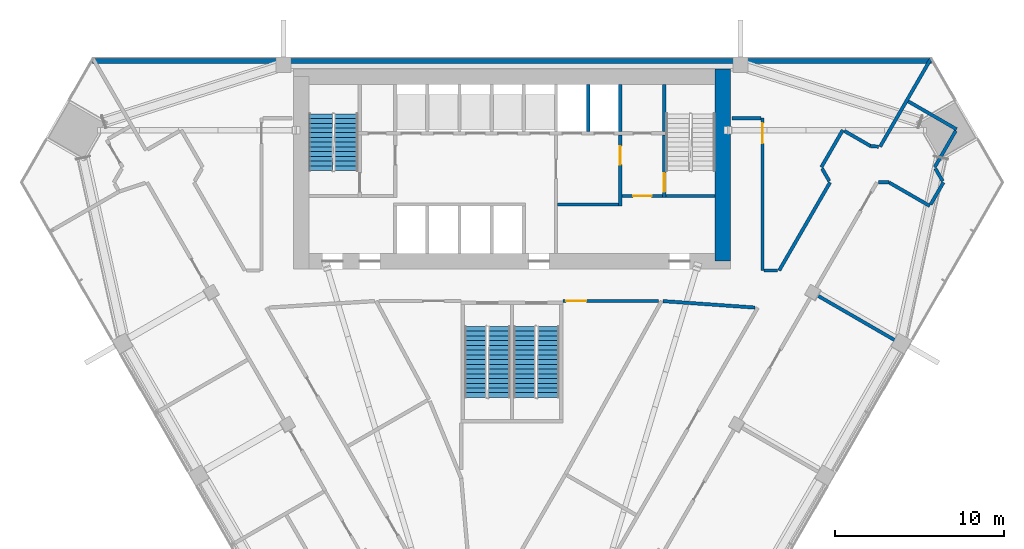
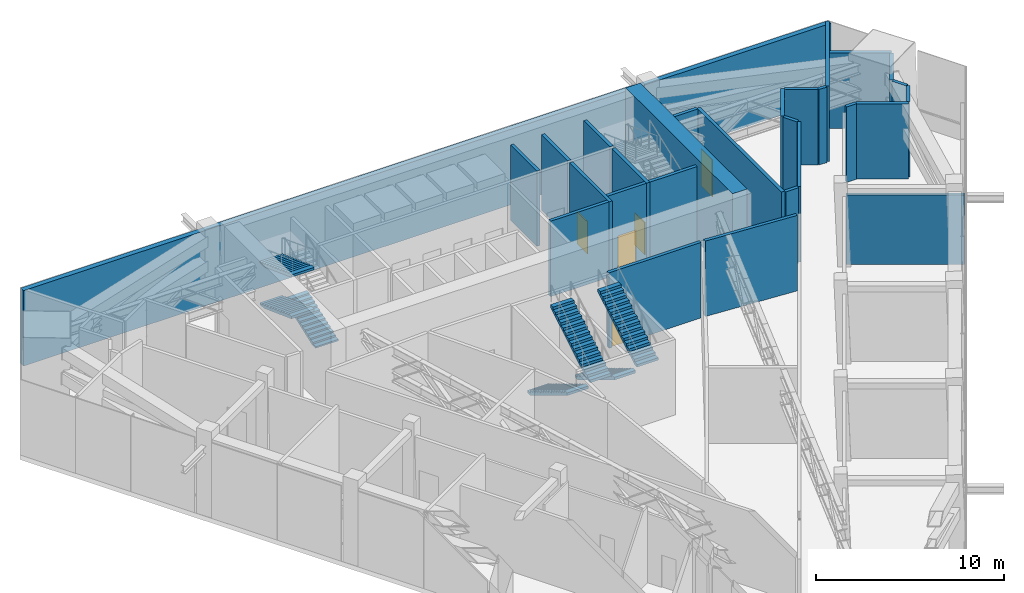
# One storey, part 11 of 15: 28 walls, 7 stair flights, 5 doors, 5 openings, 3 elements without a shape of their own.
"""IFC4 building model written with IfcOpenShell, lengths in metres."""

from ifc_helpers import new_model, si_unit, direction, frame, frame_2d, origin, place, context, subcontext, project, spatial, polyline, rectangle, outline, extrude, material, layer, layer_set, type_object, element, fill, aggregate, save


model = new_model("IFC4")

# Units and contexts
model_context = context("Model", 3, precision=1e-05, world=origin(), true_north=direction((0.0, 1.0)))
body_context = subcontext(model_context, "Body", "Model", "MODEL_VIEW")
ifc_project = project(units=[si_unit("LENGTHUNIT", "METRE"), si_unit("AREAUNIT", "SQUARE_METRE"), si_unit("VOLUMEUNIT", "CUBIC_METRE"), si_unit("PLANEANGLEUNIT", "RADIAN"), si_unit("MASSUNIT", "GRAM", prefix="KILO")], contexts=[model_context])

# Site, building, storey
site_placement = place(None, origin())
site = spatial("IfcSite", under=ifc_project, at=site_placement, CompositionType="ELEMENT")
building_placement = place(site_placement, origin())
building = spatial("IfcBuilding", under=site, at=building_placement, Name="Altiplano Prism Tower", CompositionType="ELEMENT")
storey_placement = place(building_placement, frame((0.0, 0.0, 95.39990234375)))
storey = spatial("IfcBuildingStorey", under=building, at=storey_placement, Name="L24", CompositionType="ELEMENT", Elevation=95.39990234375)

# Walls
ifc_material_1 = material(Name="Concrete C70/85", Category="concrete")
ifc_layer_1 = layer(ifc_material_1, 0.89990234375)
ifc_layer_set_1 = layer_set([ifc_layer_1], Name="Concrete C70/85")
wall_type_1 = type_object("IfcWallType", Name="Core wall 900", PredefinedType="SHEAR", material=ifc_layer_set_1)
wall_1_placement = place(storey_placement, frame((97.449951171875, 92.949951171875, 0.0), z_axis=(0.0, 0.0, 1.0), x_axis=(0.0, 1.0, 0.0)))
element("IfcWall", 1, at=wall_1_placement, inside=storey, type_object=wall_type_1, Name="Core wall E L24", PredefinedType="SHEAR", context=body_context, shape_type="SweptSolid", body=[
    extrude(rectangle(XDim=11.35009765625, YDim=0.89990234375, at=frame_2d((5.675048828125, 0.0))), origin(), (0.0, 0.0, 1.0), 5.400146484375),
])
ifc_material_2 = material(Name="Plasterboard on steel stud", Category="steel")
ifc_layer_2 = layer(ifc_material_2, 0.199951171875)
ifc_layer_set_2 = layer_set([ifc_layer_2], Name="Plasterboard on steel stud")
wall_type_2 = type_object("IfcWallType", Name="Partition 200 plant", PredefinedType="PARTITIONING", material=ifc_layer_set_2)
wall_2_placement = place(storey_placement, frame((106.645751953125, 97.606201171875, 0.0), z_axis=(0.0, 0.0, 1.0), x_axis=(1.0, 0.0, 0.0)))
element("IfcWall", 2, at=wall_2_placement, inside=storey, type_object=wall_type_2, Name="Partition P04 L24 010", PredefinedType="PARTITIONING", context=body_context, shape_type="SweptSolid", body=[
    extrude(rectangle(XDim=0.623046875, YDim=0.199951171875, at=frame_2d((0.3115234375, 0.0))), origin(), (0.0, 0.0, 1.0), 4.900146484375),
])
wall_3_placement = place(storey_placement, frame((107.268798828125, 97.606201171875, 0.0), z_axis=(0.0, 0.0, 1.0), x_axis=(0.866055689025, -0.499947540755, 0.0)))
element("IfcWall", 3, at=wall_3_placement, inside=storey, type_object=wall_type_2, Name="Partition P04 L24 011", PredefinedType="PARTITIONING", context=body_context, shape_type="SweptSolid", body=[
    extrude(rectangle(XDim=2.785400390625, YDim=0.199951171875, at=frame_2d((1.392578125, 0.0))), origin(), (0.0, 0.0, 1.0), 4.900146484375),
])
wall_4_placement = place(storey_placement, frame((109.73095703125, 96.300048828125, 0.0), z_axis=(0.0, 0.0, 1.0), x_axis=(0.500021374163, 0.866013063054, 0.0)))
element("IfcWall", 4, at=wall_4_placement, inside=storey, type_object=wall_type_2, Name="Partition P04 L24 012", PredefinedType="PARTITIONING", context=body_context, shape_type="SweptSolid", body=[
    extrude(rectangle(XDim=1.50830078125, YDim=0.199951171875, at=frame_2d((0.754150390625, 0.0))), origin(), (0.0, 0.0, 1.0), 4.900146484375),
])
wall_5_placement = place(storey_placement, frame((110.44189453125, 97.68115234375, 0.0), z_axis=(0.0, 0.0, 1.0), x_axis=(-0.499960291808, 0.866048328106, 0.0)))
element("IfcWall", 5, at=wall_5_placement, inside=storey, type_object=wall_type_2, Name="Partition P04 L24 013", PredefinedType="PARTITIONING", context=body_context, shape_type="SweptSolid", body=[
    extrude(rectangle(XDim=0.85888671875, YDim=0.199951171875, at=frame_2d((0.429443359375, 0.0))), origin(), (0.0, 0.0, 1.0), 4.900146484375),
])
wall_6_placement = place(storey_placement, frame((109.968994140625, 98.5, 0.0), z_axis=(0.0, 0.0, 1.0), x_axis=(0.499985374448, 0.866033847686, 0.0)))
element("IfcWall", 6, at=wall_6_placement, inside=storey, type_object=wall_type_2, Name="Partition P04 L24 014", PredefinedType="PARTITIONING", context=body_context, shape_type="SweptSolid", body=[
    extrude(rectangle(XDim=2.49169921875, YDim=0.199951171875, at=frame_2d((1.245849609375, 0.0))), origin(), (0.0, 0.0, 1.0), 4.900146484375),
])
wall_7_placement = place(storey_placement, frame((111.264892578125, 100.744384765625, 0.0), z_axis=(0.0, 0.0, 1.0), x_axis=(-0.866008176907, 0.50002983664, 0.0)))
element("IfcWall", 7, at=wall_7_placement, inside=storey, type_object=wall_type_2, Name="Partition P04 L24 015", PredefinedType="PARTITIONING", context=body_context, shape_type="SweptSolid", body=[
    extrude(rectangle(XDim=3.300048828125, YDim=0.199951171875, at=frame_2d((1.64990234375, 0.0))), origin(), (0.0, 0.0, 1.0), 4.900146484375),
])

# Wall, opening, door
wall_8_placement = place(storey_placement, frame((88.0, 90.60009765625, 0.0), z_axis=(0.0, 0.0, 1.0), x_axis=(0.999999985146, -0.000172361785, 0.0)))
wall_8 = element("IfcWall", 8, at=wall_8_placement, inside=storey, type_object=wall_type_2, Name="Partition P04 L24 032", PredefinedType="PARTITIONING", context=body_context, shape_type="SweptSolid", body=[
    extrude(rectangle(XDim=5.665771484375, YDim=0.199951171875, at=frame_2d((2.8330078125, 0.0))), origin(), (0.0, 0.0, 1.0), 4.900146484375),
])
opening_1_placement = place(wall_8_placement, frame((0.199951171875, 0.0, 0.0)))
opening_1 = element("IfcOpeningElement", 9, at=opening_1_placement, cuts=wall_8, Name="Opening D0900", PredefinedType="OPENING", context=body_context, shape_type="SweptSolid", body=[
    extrude(rectangle(XDim=1.199951171875, YDim=2.39990234375, at=frame_2d((0.60009765625, 1.199951171875))), frame((0.0, 0.1103515625, 0.0), z_axis=(0.0, -1.0, 0.0), x_axis=(1.0, 0.0, 0.0)), (0.0, 0.0, 1.0), 0.220947265625),
])
ifc_material_3 = material(Name="Painted steel door leaf", Category="steel")
door_type_1 = type_object("IfcDoorType", Name="Plant room door 1200 x 2400", OperationType="NOTDEFINED", PredefinedType="NOTDEFINED", material=ifc_material_3)
door_1_placement = place(opening_1_placement, origin())
door_1 = element("IfcDoor", 10, at=door_1_placement, inside=storey, type_object=door_type_1, Name="Door D0900", OperationType="SINGLE_SWING_LEFT", OverallHeight=2.39990234375, OverallWidth=1.199951171875, PredefinedType="NOTDEFINED", context=body_context, shape_type="SweptSolid", body=[
    extrude(rectangle(XDim=1.199951171875, YDim=2.39990234375, at=frame_2d((0.60009765625, 1.199951171875))), frame((0.0, 0.02490234375, 0.0), z_axis=(0.0, -1.0, 0.0), x_axis=(1.0, 0.0, 0.0)), (0.0, 0.0, 1.0), 0.050048828125),
])
fill(opening_1, door_1)

# Walls
wall_9_placement = place(storey_placement, frame((93.926025390625, 90.592529296875, 0.0), z_axis=(0.0, 0.0, 1.0), x_axis=(0.997539607827, -0.07010514116, 0.0)))
element("IfcWall", 11, at=wall_9_placement, inside=storey, type_object=wall_type_2, Name="Partition P04 L24 034", PredefinedType="PARTITIONING", context=body_context, shape_type="SweptSolid", body=[
    extrude(rectangle(XDim=5.439697265625, YDim=0.199951171875, at=frame_2d((2.7197265625, 0.0))), origin(), (0.0, 0.0, 1.0), 4.900146484375),
])
wall_10_placement = place(storey_placement, frame((108.330078125, 87.873779296875, 0.0), z_axis=(0.0, 0.0, 1.0), x_axis=(-0.866026183513, 0.499998649469, 0.0)))
element("IfcWall", 12, at=wall_10_placement, inside=storey, type_object=wall_type_2, Name="Partition P04 L24 051", PredefinedType="PARTITIONING", context=body_context, shape_type="SweptSolid", body=[
    extrude(rectangle(XDim=6.2998046875, YDim=0.199951171875, at=frame_2d((3.14990234375, 0.0))), origin(), (0.0, 0.0, 1.0), 4.5),
])
ifc_layer_3 = layer(ifc_material_2, 0.199951171875)
ifc_layer_set_3 = layer_set([ifc_layer_3], Name="Plasterboard on steel stud")
wall_type_3 = type_object("IfcWallType", Name="Partition 200 refuge", PredefinedType="PARTITIONING", material=ifc_layer_set_3)
wall_11_placement = place(storey_placement, frame((109.738037109375, 104.89990234375, 0.0), z_axis=(0.0, 0.0, 1.0), x_axis=(-0.500003379947, -0.866023452362, 0.0)))
element("IfcWall", 13, at=wall_11_placement, inside=storey, type_object=wall_type_3, Name="Partition P05 L24 016", PredefinedType="PARTITIONING", context=body_context, shape_type="SweptSolid", body=[
    extrude(rectangle(XDim=5.9931640625, YDim=0.199951171875, at=frame_2d((2.99658203125, 0.0))), origin(), (0.0, 0.0, 1.0), 4.900146484375),
])
wall_12_placement = place(storey_placement, frame((106.651611328125, 99.716796875, 0.0), z_axis=(0.0, 0.0, 1.0), x_axis=(-0.996943910642, 0.078120669697, 0.0)))
element("IfcWall", 14, at=wall_12_placement, inside=storey, type_object=wall_type_3, Name="Partition P05 L24 017", PredefinedType="PARTITIONING", context=body_context, shape_type="SweptSolid", body=[
    extrude(rectangle(XDim=0.471923828125, YDim=0.199951171875, at=frame_2d((0.23583984375, 0.0))), origin(), (0.0, 0.0, 1.0), 4.900146484375),
])
wall_13_placement = place(storey_placement, frame((106.18115234375, 99.753662109375, 0.0), z_axis=(0.0, 0.0, 1.0), x_axis=(-0.866047244312, 0.499962169188, 0.0)))
element("IfcWall", 15, at=wall_13_placement, inside=storey, type_object=wall_type_3, Name="Partition P05 L24 018", PredefinedType="PARTITIONING", context=body_context, shape_type="SweptSolid", body=[
    extrude(rectangle(XDim=1.792724609375, YDim=0.199951171875, at=frame_2d((0.896484375, 0.0))), origin(), (0.0, 0.0, 1.0), 4.900146484375),
])
wall_14_placement = place(storey_placement, frame((104.5419921875, 100.699951171875, 0.0), z_axis=(0.0, 0.0, 1.0), x_axis=(-0.500035802948, -0.866004731956, 0.0)))
element("IfcWall", 16, at=wall_14_placement, inside=storey, type_object=wall_type_3, Name="Partition P05 L24 019", PredefinedType="PARTITIONING", context=body_context, shape_type="SweptSolid", body=[
    extrude(rectangle(XDim=2.540283203125, YDim=0.199951171875, at=frame_2d((1.27001953125, 0.0))), origin(), (0.0, 0.0, 1.0), 4.900146484375),
])
wall_15_placement = place(storey_placement, frame((103.315185546875, 98.425048828125, 0.0), z_axis=(0.0, 0.0, 1.0), x_axis=(0.499960291808, -0.866048328106, 0.0)))
element("IfcWall", 17, at=wall_15_placement, inside=storey, type_object=wall_type_3, Name="Partition P05 L24 020", PredefinedType="PARTITIONING", context=body_context, shape_type="SweptSolid", body=[
    extrude(rectangle(XDim=0.85888671875, YDim=0.199951171875, at=frame_2d((0.429443359375, 0.0))), origin(), (0.0, 0.0, 1.0), 4.900146484375),
])
wall_16_placement = place(storey_placement, frame((103.787841796875, 97.606201171875, 0.0), z_axis=(0.0, 0.0, 1.0), x_axis=(-0.50000016781, -0.866025306899, 0.0)))
element("IfcWall", 18, at=wall_16_placement, inside=storey, type_object=wall_type_3, Name="Partition P05 L24 021", PredefinedType="PARTITIONING", context=body_context, shape_type="SweptSolid", body=[
    extrude(rectangle(XDim=6.01171875, YDim=0.199951171875, at=frame_2d((3.005859375, 0.0))), origin(), (0.0, 0.0, 1.0), 4.900146484375),
])
wall_17_placement = place(storey_placement, frame((100.6953125, 92.39990234375, 0.0), z_axis=(0.0, 0.0, 1.0), x_axis=(-1.0, 0.0, 0.0)))
element("IfcWall", 19, at=wall_17_placement, inside=storey, type_object=wall_type_3, Name="Partition P05 L24 022", PredefinedType="PARTITIONING", context=body_context, shape_type="SweptSolid", body=[
    extrude(rectangle(XDim=0.79541015625, YDim=0.199951171875, at=frame_2d((0.397705078125, 0.0))), origin(), (0.0, 0.0, 1.0), 4.900146484375),
])

# Wall, opening, door
wall_18_placement = place(storey_placement, frame((99.800048828125, 92.39990234375, 0.0), z_axis=(0.0, 0.0, 1.0), x_axis=(0.0, 1.0, 0.0)))
wall_18 = element("IfcWall", 20, at=wall_18_placement, inside=storey, type_object=wall_type_3, Name="Partition P05 L24 023", PredefinedType="PARTITIONING", context=body_context, shape_type="SweptSolid", body=[
    extrude(rectangle(XDim=9.0, YDim=0.199951171875, at=frame_2d((4.5, 0.0))), origin(), (0.0, 0.0, 1.0), 4.900146484375),
])
opening_2_placement = place(wall_18_placement, frame((7.512939453125, 0.0, 0.0)))
opening_2 = element("IfcOpeningElement", 21, at=opening_2_placement, cuts=wall_18, Name="Opening D0898", PredefinedType="OPENING", context=body_context, shape_type="SweptSolid", body=[
    extrude(rectangle(XDim=1.199951171875, YDim=2.39990234375, at=frame_2d((0.60009765625, 1.199951171875))), frame((0.0, 0.1103515625, 0.0), z_axis=(0.0, -1.0, 0.0), x_axis=(1.0, 0.0, 0.0)), (0.0, 0.0, 1.0), 0.220947265625),
])
door_type_2 = type_object("IfcDoorType", Name="Refuge area door 1200 x 2400", OperationType="NOTDEFINED", PredefinedType="NOTDEFINED", material=ifc_material_3)
door_2_placement = place(opening_2_placement, origin())
door_2 = element("IfcDoor", 22, at=door_2_placement, inside=storey, type_object=door_type_2, Name="Door D0898", OperationType="SINGLE_SWING_LEFT", OverallHeight=2.39990234375, OverallWidth=1.199951171875, PredefinedType="NOTDEFINED", context=body_context, shape_type="SweptSolid", body=[
    extrude(rectangle(XDim=1.199951171875, YDim=2.39990234375, at=frame_2d((0.60009765625, 1.199951171875))), frame((0.0, 0.02490234375, 0.0), z_axis=(0.0, -1.0, 0.0), x_axis=(1.0, 0.0, 0.0)), (0.0, 0.0, 1.0), 0.050048828125),
])
fill(opening_2, door_2)

# Walls
wall_19_placement = place(storey_placement, frame((99.699951171875, 101.39990234375, 0.0), z_axis=(0.0, 0.0, 1.0), x_axis=(-1.0, 0.0, 0.0)))
element("IfcWall", 23, at=wall_19_placement, inside=storey, type_object=wall_type_3, Name="Partition P05 L24 024", PredefinedType="PARTITIONING", context=body_context, shape_type="SweptSolid", body=[
    extrude(rectangle(XDim=1.699951171875, YDim=0.199951171875, at=frame_2d((0.85009765625, 0.0))), origin(), (0.0, 0.0, 1.0), 4.900146484375),
])
ifc_material_4 = material(Name="Concrete C60/75", Category="concrete")
ifc_layer_4 = layer(ifc_material_4, 0.199951171875)
ifc_layer_set_4 = layer_set([ifc_layer_4], Name="Concrete C60/75")
wall_type_4 = type_object("IfcWallType", Name="Refuge wall 200", PredefinedType="PARTITIONING", material=ifc_layer_set_4)
wall_20_placement = place(storey_placement, frame((87.699951171875, 96.300048828125, 0.0), z_axis=(0.0, 0.0, 1.0), x_axis=(1.0, 0.0, 0.0)))
element("IfcWall", 24, at=wall_20_placement, inside=storey, type_object=wall_type_4, Name="Refuge wall L24", PredefinedType="PARTITIONING", context=body_context, shape_type="SweptSolid", body=[
    extrude(rectangle(XDim=3.60009765625, YDim=0.199951171875, at=frame_2d((1.800048828125, 0.0))), origin(), (0.0, 0.0, 1.0), 4.900146484375),
])

# Wall, opening, door
wall_21_placement = place(storey_placement, frame((91.39990234375, 96.199951171875, 0.0), z_axis=(0.0, 0.0, 1.0), x_axis=(0.0, 1.0, 0.0)))
wall_21 = element("IfcWall", 25, at=wall_21_placement, inside=storey, type_object=wall_type_4, Name="Refuge wall L24", PredefinedType="PARTITIONING", context=body_context, shape_type="SweptSolid", body=[
    extrude(rectangle(XDim=4.199951171875, YDim=0.199951171875, at=frame_2d((2.10009765625, 0.0))), origin(), (0.0, 0.0, 1.0), 4.900146484375),
])
opening_3_placement = place(wall_21_placement, frame((2.449951171875, 0.0, 0.0)))
opening_3 = element("IfcOpeningElement", 26, at=opening_3_placement, cuts=wall_21, Name="Opening D2912", PredefinedType="OPENING", context=body_context, shape_type="SweptSolid", body=[
    extrude(rectangle(XDim=1.10009765625, YDim=2.10009765625, at=frame_2d((0.550048828125, 1.050048828125))), frame((0.0, 0.1103515625, 0.0), z_axis=(0.0, -1.0, 0.0), x_axis=(1.0, 0.0, 0.0)), (0.0, 0.0, 1.0), 0.220947265625),
])
ifc_material_5 = material(Name="Fire-rated steel door", Category="steel")
door_type_3 = type_object("IfcDoorType", Name="Vestibule fire door 1100 x 2100", OperationType="NOTDEFINED", PredefinedType="NOTDEFINED", material=ifc_material_5)
door_3_placement = place(opening_3_placement, origin())
door_3 = element("IfcDoor", 27, at=door_3_placement, inside=storey, type_object=door_type_3, Name="Vestibule fire door D2912", OperationType="SINGLE_SWING_LEFT", OverallHeight=2.10009765625, OverallWidth=1.10009765625, PredefinedType="NOTDEFINED", context=body_context, shape_type="SweptSolid", body=[
    extrude(rectangle(XDim=1.10009765625, YDim=2.10009765625, at=frame_2d((0.550048828125, 1.050048828125))), frame((0.0, 0.02490234375, 0.0), z_axis=(0.0, -1.0, 0.0), x_axis=(1.0, 0.0, 0.0)), (0.0, 0.0, 1.0), 0.050048828125),
])
fill(opening_3, door_3)

wall_22_placement = place(storey_placement, frame((91.5, 96.800048828125, 0.0), z_axis=(0.0, 0.0, 1.0), x_axis=(1.0, 0.0, 0.0)))
wall_22 = element("IfcWall", 28, at=wall_22_placement, inside=storey, type_object=wall_type_4, Name="Refuge wall L24", PredefinedType="PARTITIONING", context=body_context, shape_type="SweptSolid", body=[
    extrude(rectangle(XDim=2.39990234375, YDim=0.199951171875, at=frame_2d((1.199951171875, 0.0))), origin(), (0.0, 0.0, 1.0), 4.900146484375),
])
opening_4_placement = place(wall_22_placement, frame((0.64990234375, 0.0, 0.0)))
opening_4 = element("IfcOpeningElement", 29, at=opening_4_placement, cuts=wall_22, Name="Opening D2919", PredefinedType="OPENING", context=body_context, shape_type="SweptSolid", body=[
    extrude(rectangle(XDim=1.10009765625, YDim=2.10009765625, at=frame_2d((0.550048828125, 1.050048828125))), frame((0.0, 0.1103515625, 0.0), z_axis=(0.0, -1.0, 0.0), x_axis=(1.0, 0.0, 0.0)), (0.0, 0.0, 1.0), 0.220947265625),
])
door_4_placement = place(opening_4_placement, origin())
door_4 = element("IfcDoor", 30, at=door_4_placement, inside=storey, type_object=door_type_3, Name="Vestibule fire door D2919", OperationType="SINGLE_SWING_LEFT", OverallHeight=2.10009765625, OverallWidth=1.10009765625, PredefinedType="NOTDEFINED", context=body_context, shape_type="SweptSolid", body=[
    extrude(rectangle(XDim=1.10009765625, YDim=2.10009765625, at=frame_2d((0.550048828125, 1.050048828125))), frame((0.0, 0.02490234375, 0.0), z_axis=(0.0, -1.0, 0.0), x_axis=(1.0, 0.0, 0.0)), (0.0, 0.0, 1.0), 0.050048828125),
])
fill(opening_4, door_4)

# Walls
ifc_layer_5 = layer(ifc_material_4, 0.199951171875)
ifc_layer_set_5 = layer_set([ifc_layer_5], Name="Concrete C60/75")
wall_type_5 = type_object("IfcWallType", Name="Shaft wall 200", PredefinedType="SOLIDWALL", material=ifc_layer_set_5)
for number, where, z_axis, x_axis, name in (
    (31, (89.5, 100.60009765625, 0.0), (0.0, 0.0, 1.0), (0.0, 1.0, 0.0), "Shaft wall L24"),
    (32, (91.39990234375, 100.60009765625, 0.0), (0.0, 0.0, 1.0), (0.0, 1.0, 0.0), "Shaft wall L24"),
):
    element("IfcWall", number, at=place(storey_placement, frame(where, z_axis=z_axis, x_axis=x_axis)), inside=storey, type_object=wall_type_5, Name=name, PredefinedType="SOLIDWALL", context=body_context, shape_type="SweptSolid", body=[
        extrude(rectangle(XDim=2.7998046875, YDim=0.199951171875, at=frame_2d((1.39990234375, 0.0))), origin(), (0.0, 0.0, 1.0), 4.900146484375),
    ])

# Wall, opening, door
ifc_layer_6 = layer(ifc_material_4, 0.199951171875)
ifc_layer_set_6 = layer_set([ifc_layer_6], Name="Concrete C60/75")
wall_type_6 = type_object("IfcWallType", Name="Stair wall 200", PredefinedType="SOLIDWALL", material=ifc_layer_set_6)
wall_23_placement = place(storey_placement, frame((94.0, 96.699951171875, 0.0), z_axis=(0.0, 0.0, 1.0), x_axis=(0.0, 1.0, 0.0)))
wall_23 = element("IfcWall", 33, at=wall_23_placement, inside=storey, type_object=wall_type_6, Name="Stair wall L24", PredefinedType="SOLIDWALL", context=body_context, shape_type="SweptSolid", body=[
    extrude(rectangle(XDim=3.699951171875, YDim=0.199951171875, at=frame_2d((1.85009765625, 0.0))), origin(), (0.0, 0.0, 1.0), 4.900146484375),
])
opening_5_placement = place(wall_23_placement, frame((0.35009765625, 0.0, 0.0)))
opening_5 = element("IfcOpeningElement", 34, at=opening_5_placement, cuts=wall_23, Name="Opening D2909", PredefinedType="OPENING", context=body_context, shape_type="SweptSolid", body=[
    extrude(rectangle(XDim=1.10009765625, YDim=2.10009765625, at=frame_2d((0.550048828125, 1.050048828125))), frame((0.0, 0.1103515625, 0.0), z_axis=(0.0, -1.0, 0.0), x_axis=(1.0, 0.0, 0.0)), (0.0, 0.0, 1.0), 0.220947265625),
])
door_type_4 = type_object("IfcDoorType", Name="Stair fire door 1100 x 2100", OperationType="NOTDEFINED", PredefinedType="NOTDEFINED", material=ifc_material_5)
door_5_placement = place(opening_5_placement, origin())
door_5 = element("IfcDoor", 35, at=door_5_placement, inside=storey, type_object=door_type_4, Name="Stair fire door D2909", OperationType="SINGLE_SWING_LEFT", OverallHeight=2.10009765625, OverallWidth=1.10009765625, PredefinedType="NOTDEFINED", context=body_context, shape_type="SweptSolid", body=[
    extrude(rectangle(XDim=1.10009765625, YDim=2.10009765625, at=frame_2d((0.550048828125, 1.050048828125))), frame((0.0, 0.02490234375, 0.0), z_axis=(0.0, -1.0, 0.0), x_axis=(1.0, 0.0, 0.0)), (0.0, 0.0, 1.0), 0.050048828125),
])
fill(opening_5, door_5)

# Walls
wall_24_placement = place(storey_placement, frame((94.10009765625, 96.800048828125, 0.0), z_axis=(0.0, 0.0, 1.0), x_axis=(1.0, 0.0, 0.0)))
element("IfcWall", 36, at=wall_24_placement, inside=storey, type_object=wall_type_6, Name="Stair wall L24", PredefinedType="SOLIDWALL", context=body_context, shape_type="SweptSolid", body=[
    extrude(rectangle(XDim=2.89990234375, YDim=0.199951171875, at=frame_2d((1.449951171875, 0.0))), origin(), (0.0, 0.0, 1.0), 4.900146484375),
])
wall_25_placement = place(storey_placement, frame((94.0, 100.60009765625, 0.0), z_axis=(0.0, 0.0, 1.0), x_axis=(0.0, 1.0, 0.0)))
element("IfcWall", 37, at=wall_25_placement, inside=storey, type_object=wall_type_6, Name="Stair wall L24", PredefinedType="SOLIDWALL", context=body_context, shape_type="SweptSolid", body=[
    extrude(rectangle(XDim=2.7998046875, YDim=0.199951171875, at=frame_2d((1.39990234375, 0.0))), origin(), (0.0, 0.0, 1.0), 4.900146484375),
])
ifc_material_6 = material(Name="Concrete C40", Category="concrete")
ifc_layer_7 = layer(ifc_material_6, 0.300048828125)
ifc_layer_set_7 = layer_set([ifc_layer_7], Name="Concrete C40")
wall_type_7 = type_object("IfcWallType", Name="Stone-clad external wall 300", PredefinedType="SOLIDWALL", material=ifc_layer_set_7)
wall_26_placement = place(storey_placement, frame((60.2041015625, 104.7900390625, 0.0), z_axis=(0.0, 0.0, 1.0), x_axis=(1.0, 0.0, 0.0)))
element("IfcWall", 38, at=wall_26_placement, inside=storey, type_object=wall_type_7, Name="External wall north face L24", PredefinedType="SOLIDWALL", context=body_context, shape_type="SweptSolid", body=[
    extrude(rectangle(XDim=49.591796875, YDim=0.300048828125, at=frame_2d((24.7958984375, 0.0))), origin(), (0.0, 0.0, 1.0), 4.900146484375),
])

# Stair, stair flights
ifc_material_7 = material(Name="Concrete C40/50", Category="concrete")
stair_type_1 = type_object("IfcStairType", Name="Exit stair 1400", PredefinedType="HALF_TURN_STAIR", material=ifc_material_7)
stair_1_placement = place(storey_placement, origin())
stair_1 = element("IfcStair", 39, at=stair_1_placement, inside=storey, type_object=stair_type_1, Name="L24 Exit Stair 1", PredefinedType="HALF_TURN_STAIR")
stair_flight_type = type_object("IfcStairFlightType", Name="Stair flight concrete 150", PredefinedType="STRAIGHT", material=ifc_material_7)
stair_flight_1_placement = place(storey_placement, frame((75.199951171875, 98.300048828125, 0.0), z_axis=(0.0, 0.0, 1.0), x_axis=(0.0, 1.0, 0.0)))
stair_flight_1 = element("IfcStairFlight", 40, at=stair_flight_1_placement, type_object=stair_flight_type, Name="ST1 flight 1", NumberOfRisers=13, NumberOfTreads=12, PredefinedType="STRAIGHT", RiserHeight=0.103846154, TreadLength=0.28, context=body_context, shape_type="SweptSolid", body=[
    extrude(outline(polyline([(0.0, 0.0), (0.0, 0.103759765625), (0.280029296875, 0.103759765625), (0.280029296875, 0.207763671875), (0.56005859375, 0.207763671875), (0.56005859375, 0.3115234375), (0.840087890625, 0.3115234375), (0.840087890625, 0.415283203125), (1.1201171875, 0.415283203125), (1.1201171875, 0.519287109375), (1.39990234375, 0.519287109375), (1.39990234375, 0.623046875), (1.679931640625, 0.623046875), (1.679931640625, 0.726806640625), (1.9599609375, 0.726806640625), (1.9599609375, 0.830810546875), (2.239990234375, 0.830810546875), (2.239990234375, 0.9345703125), (2.52001953125, 0.9345703125), (2.52001953125, 1.03857421875), (2.800048828125, 1.03857421875), (2.800048828125, 1.142333984375), (3.080078125, 1.142333984375), (3.080078125, 1.24609375), (3.360107421875, 1.24609375), (3.360107421875, 1.35009765625), (3.360107421875, 1.086181640625), (0.43115234375, 0.0), (0.0, 0.0)])), frame((0.0, 0.699951171875, 0.0), z_axis=(0.0, -1.0, 0.0), x_axis=(1.0, 0.0, 0.0)), (0.0, 0.0, 1.0), 1.39990234375),
])
stair_flight_2_placement = place(storey_placement, frame((73.699951171875, 101.659912109375, 1.35009765625), z_axis=(0.0, 0.0, 1.0), x_axis=(0.0, -1.0, 0.0)))
stair_flight_2 = element("IfcStairFlight", 41, at=stair_flight_2_placement, type_object=stair_flight_type, Name="ST1 flight 2", NumberOfRisers=13, NumberOfTreads=12, PredefinedType="STRAIGHT", RiserHeight=0.103846154, TreadLength=0.28, context=body_context, shape_type="SweptSolid", body=[
    extrude(outline(polyline([(0.0, 0.0), (0.0, 0.103759765625), (0.280029296875, 0.103759765625), (0.280029296875, 0.207763671875), (0.56005859375, 0.207763671875), (0.56005859375, 0.3115234375), (0.840087890625, 0.3115234375), (0.840087890625, 0.415283203125), (1.1201171875, 0.415283203125), (1.1201171875, 0.519287109375), (1.39990234375, 0.519287109375), (1.39990234375, 0.623046875), (1.679931640625, 0.623046875), (1.679931640625, 0.726806640625), (1.9599609375, 0.726806640625), (1.9599609375, 0.830810546875), (2.239990234375, 0.830810546875), (2.239990234375, 0.9345703125), (2.52001953125, 0.9345703125), (2.52001953125, 1.03857421875), (2.800048828125, 1.03857421875), (2.800048828125, 1.142333984375), (3.080078125, 1.142333984375), (3.080078125, 1.24609375), (3.360107421875, 1.24609375), (3.360107421875, 1.35009765625), (3.360107421875, 1.086181640625), (0.43115234375, 0.0), (0.0, 0.0)])), frame((0.0, 0.699951171875, 0.0), z_axis=(0.0, -1.0, 0.0), x_axis=(1.0, 0.0, 0.0)), (0.0, 0.0, 1.0), 1.39990234375),
])
stair_flight_3_placement = place(storey_placement, frame((73.699951171875, 101.659912109375, 4.050048828125), z_axis=(0.0, 0.0, 1.0), x_axis=(0.0, -1.0, 0.0)))
stair_flight_3 = element("IfcStairFlight", 42, at=stair_flight_3_placement, type_object=stair_flight_type, Name="ST1 flight 4", NumberOfRisers=13, NumberOfTreads=12, PredefinedType="STRAIGHT", RiserHeight=0.103846154, TreadLength=0.28, context=body_context, shape_type="SweptSolid", body=[
    extrude(outline(polyline([(0.0, 0.0), (0.0, 0.103759765625), (0.280029296875, 0.103759765625), (0.280029296875, 0.207763671875), (0.56005859375, 0.207763671875), (0.56005859375, 0.3115234375), (0.840087890625, 0.3115234375), (0.840087890625, 0.415283203125), (1.1201171875, 0.415283203125), (1.1201171875, 0.519287109375), (1.39990234375, 0.519287109375), (1.39990234375, 0.623046875), (1.679931640625, 0.623046875), (1.679931640625, 0.726806640625), (1.9599609375, 0.726806640625), (1.9599609375, 0.830810546875), (2.239990234375, 0.830810546875), (2.239990234375, 0.9345703125), (2.52001953125, 0.9345703125), (2.52001953125, 1.03857421875), (2.800048828125, 1.03857421875), (2.800048828125, 1.142333984375), (3.080078125, 1.142333984375), (3.080078125, 1.24609375), (3.360107421875, 1.24609375), (3.360107421875, 1.35009765625), (3.360107421875, 1.086181640625), (0.43115234375, 0.0), (0.0, 0.0)])), frame((0.0, 0.699951171875, 0.0), z_axis=(0.0, -1.0, 0.0), x_axis=(1.0, 0.0, 0.0)), (0.0, 0.0, 1.0), 1.39990234375),
])
aggregate(stair_1, [stair_flight_1, stair_flight_2, stair_flight_3])

stair_type_2 = type_object("IfcStairType", Name="Exit stair 1300", PredefinedType="HALF_TURN_STAIR", material=ifc_material_7)
stair_2_placement = place(storey_placement, origin())
stair_2 = element("IfcStair", 43, at=stair_2_placement, inside=storey, type_object=stair_type_2, Name="L24 Exit Stair 3A", PredefinedType="HALF_TURN_STAIR")
stair_flight_4_placement = place(storey_placement, frame((82.85009765625, 89.10009765625, 0.0), z_axis=(0.0, 0.0, 1.0), x_axis=(0.0, -1.0, 0.0)))
stair_flight_4 = element("IfcStairFlight", 44, at=stair_flight_4_placement, type_object=stair_flight_type, Name="ST3A flight 1", NumberOfRisers=16, NumberOfTreads=15, PredefinedType="STRAIGHT", RiserHeight=0.16875, TreadLength=0.28, context=body_context, shape_type="SweptSolid", body=[
    extrude(outline(polyline([(0.0, 0.0), (0.0, 0.168701171875), (0.280029296875, 0.168701171875), (0.280029296875, 0.33740234375), (0.56005859375, 0.33740234375), (0.56005859375, 0.50634765625), (0.840087890625, 0.50634765625), (0.840087890625, 0.675048828125), (1.1201171875, 0.675048828125), (1.1201171875, 0.84375), (1.39990234375, 0.84375), (1.39990234375, 1.012451171875), (1.679931640625, 1.012451171875), (1.679931640625, 1.18115234375), (1.9599609375, 1.18115234375), (1.9599609375, 1.35009765625), (2.239990234375, 1.35009765625), (2.239990234375, 1.518798828125), (2.52001953125, 1.518798828125), (2.52001953125, 1.6875), (2.800048828125, 1.6875), (2.800048828125, 1.856201171875), (3.080078125, 1.856201171875), (3.080078125, 2.02490234375), (3.360107421875, 2.02490234375), (3.360107421875, 2.19384765625), (3.639892578125, 2.19384765625), (3.639892578125, 2.362548828125), (3.919921875, 2.362548828125), (3.919921875, 2.53125), (4.199951171875, 2.53125), (4.199951171875, 2.699951171875), (4.199951171875, 2.356201171875), (0.29052734375, 0.0), (0.0, 0.0)])), frame((0.0, 0.64990234375, 0.0), z_axis=(0.0, -1.0, 0.0), x_axis=(1.0, 0.0, 0.0)), (0.0, 0.0, 1.0), 1.300048828125),
])
stair_flight_5_placement = place(storey_placement, frame((84.25, 84.89990234375, 2.7001953125), z_axis=(0.0, 0.0, 1.0), x_axis=(0.0, 1.0, 0.0)))
stair_flight_5 = element("IfcStairFlight", 45, at=stair_flight_5_placement, type_object=stair_flight_type, Name="ST3A flight 2", NumberOfRisers=16, NumberOfTreads=15, PredefinedType="STRAIGHT", RiserHeight=0.16875, TreadLength=0.28, context=body_context, shape_type="SweptSolid", body=[
    extrude(outline(polyline([(0.0, 0.0), (0.0, 0.168701171875), (0.280029296875, 0.168701171875), (0.280029296875, 0.33740234375), (0.56005859375, 0.33740234375), (0.56005859375, 0.50634765625), (0.840087890625, 0.50634765625), (0.840087890625, 0.675048828125), (1.1201171875, 0.675048828125), (1.1201171875, 0.84375), (1.39990234375, 0.84375), (1.39990234375, 1.012451171875), (1.679931640625, 1.012451171875), (1.679931640625, 1.18115234375), (1.9599609375, 1.18115234375), (1.9599609375, 1.35009765625), (2.239990234375, 1.35009765625), (2.239990234375, 1.518798828125), (2.52001953125, 1.518798828125), (2.52001953125, 1.6875), (2.800048828125, 1.6875), (2.800048828125, 1.856201171875), (3.080078125, 1.856201171875), (3.080078125, 2.02490234375), (3.360107421875, 2.02490234375), (3.360107421875, 2.19384765625), (3.639892578125, 2.19384765625), (3.639892578125, 2.362548828125), (3.919921875, 2.362548828125), (3.919921875, 2.53125), (4.199951171875, 2.53125), (4.199951171875, 2.699951171875), (4.199951171875, 2.356201171875), (0.29052734375, 0.0), (0.0, 0.0)])), frame((0.0, 0.64990234375, 0.0), z_axis=(0.0, -1.0, 0.0), x_axis=(1.0, 0.0, 0.0)), (0.0, 0.0, 1.0), 1.300048828125),
])
aggregate(stair_2, [stair_flight_4, stair_flight_5])

stair_3_placement = place(storey_placement, origin())
stair_3 = element("IfcStair", 46, at=stair_3_placement, inside=storey, type_object=stair_type_2, Name="L24 Exit Stair 3B", PredefinedType="HALF_TURN_STAIR")
stair_flight_6_placement = place(storey_placement, frame((85.75, 89.10009765625, 0.0), z_axis=(0.0, 0.0, 1.0), x_axis=(0.0, -1.0, 0.0)))
stair_flight_6 = element("IfcStairFlight", 47, at=stair_flight_6_placement, type_object=stair_flight_type, Name="ST3B flight 1", NumberOfRisers=16, NumberOfTreads=15, PredefinedType="STRAIGHT", RiserHeight=0.16875, TreadLength=0.28, context=body_context, shape_type="SweptSolid", body=[
    extrude(outline(polyline([(0.0, 0.0), (0.0, 0.168701171875), (0.280029296875, 0.168701171875), (0.280029296875, 0.33740234375), (0.56005859375, 0.33740234375), (0.56005859375, 0.50634765625), (0.840087890625, 0.50634765625), (0.840087890625, 0.675048828125), (1.1201171875, 0.675048828125), (1.1201171875, 0.84375), (1.39990234375, 0.84375), (1.39990234375, 1.012451171875), (1.679931640625, 1.012451171875), (1.679931640625, 1.18115234375), (1.9599609375, 1.18115234375), (1.9599609375, 1.35009765625), (2.239990234375, 1.35009765625), (2.239990234375, 1.518798828125), (2.52001953125, 1.518798828125), (2.52001953125, 1.6875), (2.800048828125, 1.6875), (2.800048828125, 1.856201171875), (3.080078125, 1.856201171875), (3.080078125, 2.02490234375), (3.360107421875, 2.02490234375), (3.360107421875, 2.19384765625), (3.639892578125, 2.19384765625), (3.639892578125, 2.362548828125), (3.919921875, 2.362548828125), (3.919921875, 2.53125), (4.199951171875, 2.53125), (4.199951171875, 2.699951171875), (4.199951171875, 2.356201171875), (0.29052734375, 0.0), (0.0, 0.0)])), frame((0.0, 0.64990234375, 0.0), z_axis=(0.0, -1.0, 0.0), x_axis=(1.0, 0.0, 0.0)), (0.0, 0.0, 1.0), 1.300048828125),
])
stair_flight_7_placement = place(storey_placement, frame((87.14990234375, 84.89990234375, 2.7001953125), z_axis=(0.0, 0.0, 1.0), x_axis=(0.0, 1.0, 0.0)))
stair_flight_7 = element("IfcStairFlight", 48, at=stair_flight_7_placement, type_object=stair_flight_type, Name="ST3B flight 2", NumberOfRisers=16, NumberOfTreads=15, PredefinedType="STRAIGHT", RiserHeight=0.16875, TreadLength=0.28, context=body_context, shape_type="SweptSolid", body=[
    extrude(outline(polyline([(0.0, 0.0), (0.0, 0.168701171875), (0.280029296875, 0.168701171875), (0.280029296875, 0.33740234375), (0.56005859375, 0.33740234375), (0.56005859375, 0.50634765625), (0.840087890625, 0.50634765625), (0.840087890625, 0.675048828125), (1.1201171875, 0.675048828125), (1.1201171875, 0.84375), (1.39990234375, 0.84375), (1.39990234375, 1.012451171875), (1.679931640625, 1.012451171875), (1.679931640625, 1.18115234375), (1.9599609375, 1.18115234375), (1.9599609375, 1.35009765625), (2.239990234375, 1.35009765625), (2.239990234375, 1.518798828125), (2.52001953125, 1.518798828125), (2.52001953125, 1.6875), (2.800048828125, 1.6875), (2.800048828125, 1.856201171875), (3.080078125, 1.856201171875), (3.080078125, 2.02490234375), (3.360107421875, 2.02490234375), (3.360107421875, 2.19384765625), (3.639892578125, 2.19384765625), (3.639892578125, 2.362548828125), (3.919921875, 2.362548828125), (3.919921875, 2.53125), (4.199951171875, 2.53125), (4.199951171875, 2.699951171875), (4.199951171875, 2.356201171875), (0.29052734375, 0.0), (0.0, 0.0)])), frame((0.0, 0.64990234375, 0.0), z_axis=(0.0, -1.0, 0.0), x_axis=(1.0, 0.0, 0.0)), (0.0, 0.0, 1.0), 1.300048828125),
])
aggregate(stair_3, [stair_flight_6, stair_flight_7])

save(model, "model.ifc")
